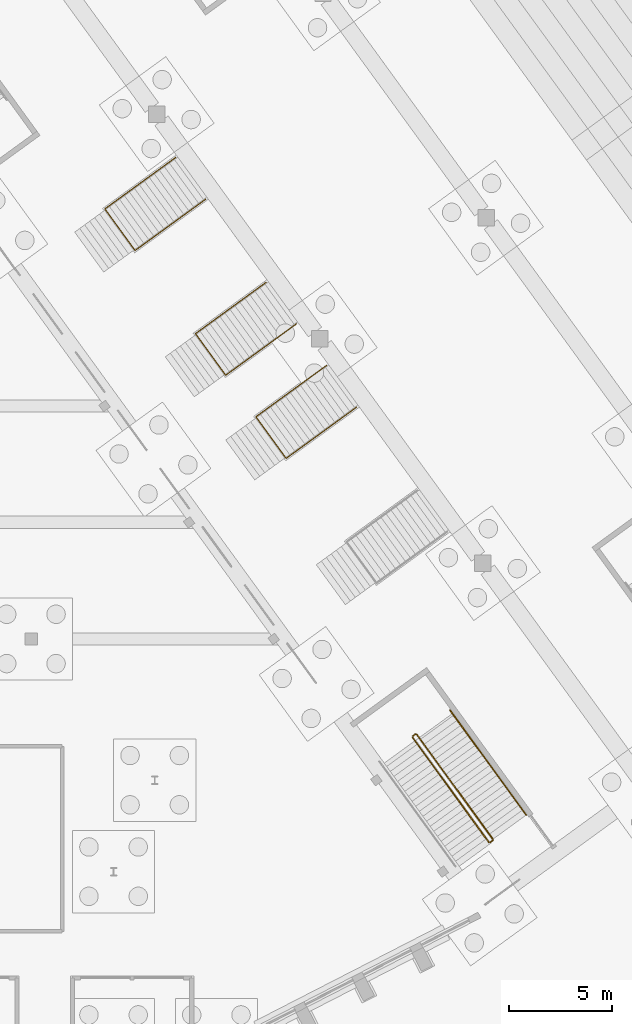
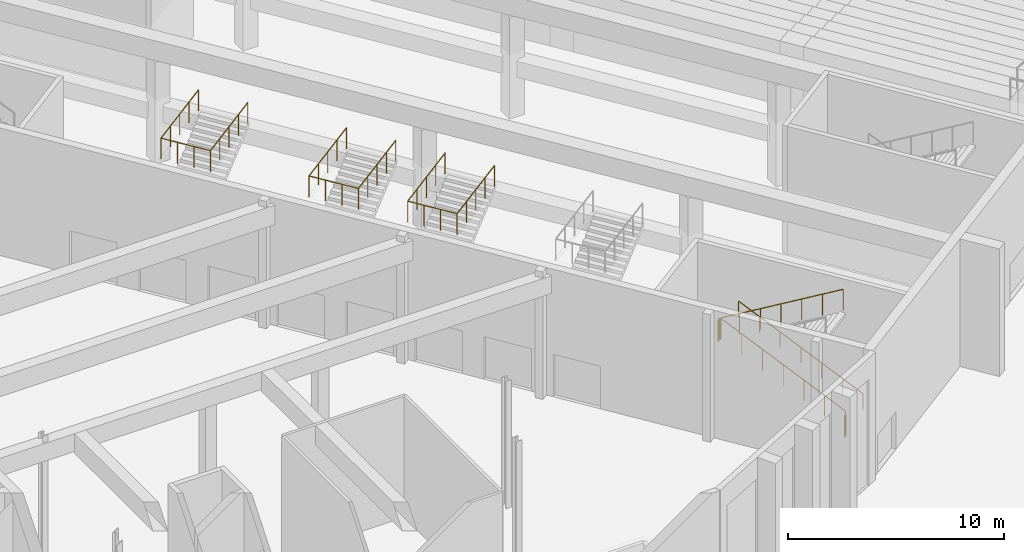
# One storey, part 229 of 239: 8 railings.
"""IFC4 building model written with IfcOpenShell, lengths in metres."""

from ifc_helpers import new_model, si_unit, direction, frame, origin, origin_2d, place, context, subcontext, project, spatial, circle, extrude, material, type_object, element, save


model = new_model("IFC4")

# Units and contexts
model_context = context("Model", 3, precision=1e-05, world=origin(), true_north=direction((0.0, 1.0)))
body_context = subcontext(model_context, "Body", "Model", "MODEL_VIEW")
ifc_project = project(units=[si_unit("LENGTHUNIT", "METRE"), si_unit("AREAUNIT", "SQUARE_METRE"), si_unit("VOLUMEUNIT", "CUBIC_METRE"), si_unit("PLANEANGLEUNIT", "RADIAN"), si_unit("MASSUNIT", "GRAM", prefix="KILO")], contexts=[model_context])

# Site, building, storey
site_placement = place(None, origin())
site = spatial("IfcSite", under=ifc_project, at=site_placement, CompositionType="ELEMENT")
building_placement = place(site_placement, origin())
building = spatial("IfcBuilding", under=site, at=building_placement, Name="Okhra Congress Centre", CompositionType="ELEMENT")
storey_placement = place(building_placement, origin())
storey = spatial("IfcBuildingStorey", under=building, at=storey_placement, Name="L00", CompositionType="ELEMENT", Elevation=0.0)

# Railings
ifc_material_1 = material(Name="Painted steel tube guard with vertical steel balusters", Category="steel")
railing_type_1 = type_object("IfcRailingType", Name="Steel guard 1200", PredefinedType="GUARDRAIL", material=ifc_material_1)
railing_1_placement = place(storey_placement, frame((223.830078125, 180.50244140625, 3.60009765625)))
element("IfcRailing", 1, at=railing_1_placement, inside=storey, type_object=railing_type_1, Name="Guard round stair opening", PredefinedType="GUARDRAIL", context=body_context, shape_type="SweptSolid", body=[
    extrude(circle(Radius=0.02392578125, at=origin_2d()), frame((0.0, 0.0, 1.17578125), z_axis=(-0.809014219529, -0.587789071521, 0.0), x_axis=(0.587789071521, -0.809014219529, 0.0)), (0.0, 0.0, 1.0), 4.25),
    extrude(circle(Radius=0.02392578125, at=origin_2d()), frame((-3.438232421875, -2.498046875, 1.17578125), z_axis=(-0.587805814474, 0.809002054677, 0.0), x_axis=(-0.809002054677, -0.587805814474, 0.0)), (0.0, 0.0, 1.0), 2.5),
    extrude(circle(Radius=0.02392578125, at=origin_2d()), frame((-4.90771484375, -0.4755859375, 1.17578125), z_axis=(0.808986902224, 0.587826668356, 0.0), x_axis=(-0.587826668356, 0.808986902224, 0.0)), (0.0, 0.0, 1.0), 4.25),
    extrude(circle(Radius=0.02099609375, at=origin_2d()), origin(), (0.0, 0.0, 1.0), 1.15185546875),
    extrude(circle(Radius=0.02099609375, at=origin_2d()), frame((-0.859619140625, -0.62451171875, 0.0)), (0.0, 0.0, 1.0), 1.15185546875),
    extrude(circle(Radius=0.02099609375, at=origin_2d()), frame((-1.71923828125, -1.2490234375, 0.0)), (0.0, 0.0, 1.0), 1.15185546875),
    extrude(circle(Radius=0.02099609375, at=origin_2d()), frame((-2.57861328125, -1.87353515625, 0.0)), (0.0, 0.0, 1.0), 1.15185546875),
    extrude(circle(Radius=0.02099609375, at=origin_2d()), frame((-3.438232421875, -2.498046875, 0.0)), (0.0, 0.0, 1.0), 1.15185546875),
    extrude(circle(Radius=0.02099609375, at=origin_2d()), frame((-3.927978515625, -1.823974609375, 0.0)), (0.0, 0.0, 1.0), 1.15185546875),
    extrude(circle(Radius=0.02099609375, at=origin_2d()), frame((-4.41796875, -1.149658203125, 0.0)), (0.0, 0.0, 1.0), 1.15185546875),
    extrude(circle(Radius=0.02099609375, at=origin_2d()), frame((-4.90771484375, -0.4755859375, 0.0)), (0.0, 0.0, 1.0), 1.15185546875),
    extrude(circle(Radius=0.02099609375, at=origin_2d()), frame((-4.048095703125, 0.14892578125, 0.0)), (0.0, 0.0, 1.0), 1.15185546875),
    extrude(circle(Radius=0.02099609375, at=origin_2d()), frame((-3.1884765625, 0.7734375, 0.0)), (0.0, 0.0, 1.0), 1.15185546875),
    extrude(circle(Radius=0.02099609375, at=origin_2d()), frame((-2.3291015625, 1.398193359375, 0.0)), (0.0, 0.0, 1.0), 1.15185546875),
    extrude(circle(Radius=0.02099609375, at=origin_2d()), frame((-1.469482421875, 2.022705078125, 0.0)), (0.0, 0.0, 1.0), 1.15185546875),
])
railing_2_placement = place(storey_placement, frame((220.89111328125, 184.547607421875, 3.60009765625)))
element("IfcRailing", 2, at=railing_2_placement, inside=storey, type_object=railing_type_1, Name="Guard round stair opening", PredefinedType="GUARDRAIL", context=body_context, shape_type="SweptSolid", body=[
    extrude(circle(Radius=0.02392578125, at=origin_2d()), frame((0.0, 0.0, 1.17578125), z_axis=(-0.809014219529, -0.587789071521, 0.0), x_axis=(0.587789071521, -0.809014219529, 0.0)), (0.0, 0.0, 1.0), 4.25),
    extrude(circle(Radius=0.02392578125, at=origin_2d()), frame((-3.438232421875, -2.498046875, 1.17578125), z_axis=(-0.587805814474, 0.809002054677, 0.0), x_axis=(-0.809002054677, -0.587805814474, 0.0)), (0.0, 0.0, 1.0), 2.5),
    extrude(circle(Radius=0.02392578125, at=origin_2d()), frame((-4.90771484375, -0.4755859375, 1.17578125), z_axis=(0.809034065563, 0.587761755101, 0.0), x_axis=(-0.587761755101, 0.809034065563, 0.0)), (0.0, 0.0, 1.0), 4.25),
    extrude(circle(Radius=0.02099609375, at=origin_2d()), origin(), (0.0, 0.0, 1.0), 1.15185546875),
    extrude(circle(Radius=0.02099609375, at=origin_2d()), frame((-0.859619140625, -0.62451171875, 0.0)), (0.0, 0.0, 1.0), 1.15185546875),
    extrude(circle(Radius=0.02099609375, at=origin_2d()), frame((-1.71923828125, -1.2490234375, 0.0)), (0.0, 0.0, 1.0), 1.15185546875),
    extrude(circle(Radius=0.02099609375, at=origin_2d()), frame((-2.57861328125, -1.87353515625, 0.0)), (0.0, 0.0, 1.0), 1.15185546875),
    extrude(circle(Radius=0.02099609375, at=origin_2d()), frame((-3.438232421875, -2.498046875, 0.0)), (0.0, 0.0, 1.0), 1.15185546875),
    extrude(circle(Radius=0.02099609375, at=origin_2d()), frame((-3.927978515625, -1.823974609375, 0.0)), (0.0, 0.0, 1.0), 1.15185546875),
    extrude(circle(Radius=0.02099609375, at=origin_2d()), frame((-4.41796875, -1.149658203125, 0.0)), (0.0, 0.0, 1.0), 1.15185546875),
    extrude(circle(Radius=0.02099609375, at=origin_2d()), frame((-4.90771484375, -0.4755859375, 0.0)), (0.0, 0.0, 1.0), 1.15185546875),
    extrude(circle(Radius=0.02099609375, at=origin_2d()), frame((-4.048095703125, 0.14892578125, 0.0)), (0.0, 0.0, 1.0), 1.15185546875),
    extrude(circle(Radius=0.02099609375, at=origin_2d()), frame((-3.1884765625, 0.7734375, 0.0)), (0.0, 0.0, 1.0), 1.15185546875),
    extrude(circle(Radius=0.02099609375, at=origin_2d()), frame((-2.328857421875, 1.39794921875, 0.0)), (0.0, 0.0, 1.0), 1.15185546875),
    extrude(circle(Radius=0.02099609375, at=origin_2d()), frame((-1.46923828125, 2.0224609375, 0.0)), (0.0, 0.0, 1.0), 1.15185546875),
])
railing_3_placement = place(storey_placement, frame((216.48291015625, 190.615234375, 3.60009765625)))
element("IfcRailing", 3, at=railing_3_placement, inside=storey, type_object=railing_type_1, Name="Guard round stair opening", PredefinedType="GUARDRAIL", context=body_context, shape_type="SweptSolid", body=[
    extrude(circle(Radius=0.02392578125, at=origin_2d()), frame((0.0, 0.0, 1.17578125), z_axis=(-0.809034065563, -0.587761755101, 0.0), x_axis=(0.587761755101, -0.809034065563, 0.0)), (0.0, 0.0, 1.0), 4.25),
    extrude(circle(Radius=0.02392578125, at=origin_2d()), frame((-3.4384765625, -2.498046875, 1.17578125), z_axis=(-0.587805814474, 0.809002054677, 0.0), x_axis=(-0.809002054677, -0.587805814474, 0.0)), (0.0, 0.0, 1.0), 2.5),
    extrude(circle(Radius=0.02392578125, at=origin_2d()), frame((-4.907958984375, -0.4755859375, 1.17578125), z_axis=(0.809034065563, 0.587761755101, 0.0), x_axis=(-0.587761755101, 0.809034065563, 0.0)), (0.0, 0.0, 1.0), 4.25),
    extrude(circle(Radius=0.02099609375, at=origin_2d()), origin(), (0.0, 0.0, 1.0), 1.15185546875),
    extrude(circle(Radius=0.02099609375, at=origin_2d()), frame((-0.859619140625, -0.62451171875, 0.0)), (0.0, 0.0, 1.0), 1.15185546875),
    extrude(circle(Radius=0.02099609375, at=origin_2d()), frame((-1.71923828125, -1.2490234375, 0.0)), (0.0, 0.0, 1.0), 1.15185546875),
    extrude(circle(Radius=0.02099609375, at=origin_2d()), frame((-2.578857421875, -1.87353515625, 0.0)), (0.0, 0.0, 1.0), 1.15185546875),
    extrude(circle(Radius=0.02099609375, at=origin_2d()), frame((-3.4384765625, -2.498046875, 0.0)), (0.0, 0.0, 1.0), 1.15185546875),
    extrude(circle(Radius=0.02099609375, at=origin_2d()), frame((-3.92822265625, -1.823974609375, 0.0)), (0.0, 0.0, 1.0), 1.15185546875),
    extrude(circle(Radius=0.02099609375, at=origin_2d()), frame((-4.418212890625, -1.149658203125, 0.0)), (0.0, 0.0, 1.0), 1.15185546875),
    extrude(circle(Radius=0.02099609375, at=origin_2d()), frame((-4.907958984375, -0.4755859375, 0.0)), (0.0, 0.0, 1.0), 1.15185546875),
    extrude(circle(Radius=0.02099609375, at=origin_2d()), frame((-4.04833984375, 0.14892578125, 0.0)), (0.0, 0.0, 1.0), 1.15185546875),
    extrude(circle(Radius=0.02099609375, at=origin_2d()), frame((-3.188720703125, 0.7734375, 0.0)), (0.0, 0.0, 1.0), 1.15185546875),
    extrude(circle(Radius=0.02099609375, at=origin_2d()), frame((-2.3291015625, 1.39794921875, 0.0)), (0.0, 0.0, 1.0), 1.15185546875),
    extrude(circle(Radius=0.02099609375, at=origin_2d()), frame((-1.469482421875, 2.0224609375, 0.0)), (0.0, 0.0, 1.0), 1.15185546875),
])
ifc_material_2 = material(Name="Painted steel tube handrail on wall brackets", Category="steel")
railing_type_2 = type_object("IfcRailingType", Name="Steel handrail 900", PredefinedType="HANDRAIL", material=ifc_material_2)
railing_4_placement = place(storey_placement, frame((232.06982421875, 160.655029296875, 0.16357421875)))
element("IfcRailing", 4, at=railing_4_placement, inside=storey, type_object=railing_type_2, Name="L00 C1 stair handrail 1", PredefinedType="HANDRAIL", context=body_context, shape_type="SweptSolid", body=[
    extrude(circle(Radius=0.02392578125, at=origin_2d()), frame((0.0, 0.0, 0.8759765625), z_axis=(-0.516010571372, 0.710228949007, 0.478861076123), x_axis=(-0.809017516926, -0.587784533062, 0.0)), (0.0, 0.0, 1.0), 7.176513671875),
    extrude(circle(Radius=0.02099609375, at=origin_2d()), origin(), (0.0, 0.0, 1.0), 0.851806640625),
    extrude(circle(Radius=0.02099609375, at=origin_2d()), frame((-0.6171875, 0.849609375, 0.57275390625)), (0.0, 0.0, 1.0), 0.851806640625),
    extrude(circle(Radius=0.02099609375, at=origin_2d()), frame((-1.234375, 1.698974609375, 1.1455078125)), (0.0, 0.0, 1.0), 0.851806640625),
    extrude(circle(Radius=0.02099609375, at=origin_2d()), frame((-1.8515625, 2.54833984375, 1.71826171875)), (0.0, 0.0, 1.0), 0.851806640625),
    extrude(circle(Radius=0.02099609375, at=origin_2d()), frame((-2.46875, 3.39794921875, 2.291015625)), (0.0, 0.0, 1.0), 0.851806640625),
    extrude(circle(Radius=0.02099609375, at=origin_2d()), frame((-3.0859375, 4.24755859375, 2.86376953125)), (0.0, 0.0, 1.0), 0.851806640625),
    extrude(circle(Radius=0.02099609375, at=origin_2d()), frame((-3.703125, 5.096923828125, 3.4365234375)), (0.0, 0.0, 1.0), 0.851806640625),
])
railing_type_3 = type_object("IfcRailingType", Name="Steel stair guard 1200", PredefinedType="GUARDRAIL", material=ifc_material_1)
railing_5_placement = place(storey_placement, frame((230.45166015625, 159.4794921875, 0.16357421875)))
element("IfcRailing", 5, at=railing_5_placement, inside=storey, type_object=railing_type_3, Name="L00 C1 stair guard 1", PredefinedType="GUARDRAIL", context=body_context, shape_type="SweptSolid", body=[
    extrude(circle(Radius=0.02392578125, at=origin_2d()), frame((0.0, 0.0, 1.17578125), z_axis=(-0.515985609347, 0.71024141665, 0.478869482242), x_axis=(-0.809035944427, -0.5877591689, 0.0)), (0.0, 0.0, 1.0), 7.17626953125),
    extrude(circle(Radius=0.02099609375, at=origin_2d()), origin(), (0.0, 0.0, 1.0), 1.15185546875),
    extrude(circle(Radius=0.02099609375, at=origin_2d()), frame((-0.6171875, 0.849609375, 0.57275390625)), (0.0, 0.0, 1.0), 1.15185546875),
    extrude(circle(Radius=0.02099609375, at=origin_2d()), frame((-1.234375, 1.698974609375, 1.1455078125)), (0.0, 0.0, 1.0), 1.15185546875),
    extrude(circle(Radius=0.02099609375, at=origin_2d()), frame((-1.8515625, 2.54833984375, 1.71826171875)), (0.0, 0.0, 1.0), 1.15185546875),
    extrude(circle(Radius=0.02099609375, at=origin_2d()), frame((-2.468505859375, 3.39794921875, 2.291015625)), (0.0, 0.0, 1.0), 1.15185546875),
    extrude(circle(Radius=0.02099609375, at=origin_2d()), frame((-3.085693359375, 4.24755859375, 2.86376953125)), (0.0, 0.0, 1.0), 1.15185546875),
    extrude(circle(Radius=0.02099609375, at=origin_2d()), frame((-3.702880859375, 5.096923828125, 3.4365234375)), (0.0, 0.0, 1.0), 1.15185546875),
])
railing_6_placement = place(storey_placement, frame((226.678955078125, 164.58740234375, 3.60009765625)))
element("IfcRailing", 6, at=railing_6_placement, inside=storey, type_object=railing_type_3, Name="L00 C1 stair guard 2", PredefinedType="GUARDRAIL", context=body_context, shape_type="SweptSolid", body=[
    extrude(circle(Radius=0.02392578125, at=origin_2d()), frame((0.0, 0.0, 1.17578125), z_axis=(-0.809087927272, -0.587687609145, 0.0), x_axis=(0.587687609145, -0.809087927272, 0.0)), (0.0, 0.0, 1.0), 0.14990234375),
    extrude(circle(Radius=0.02099609375, at=origin_2d()), origin(), (0.0, 0.0, 1.0), 1.15185546875),
    extrude(circle(Radius=0.02099609375, at=origin_2d()), frame((-0.121337890625, -0.088134765625, 0.0)), (0.0, 0.0, 1.0), 1.15185546875),
])
railing_7_placement = place(storey_placement, frame((226.54638671875, 164.429443359375, 3.763671875)))
element("IfcRailing", 7, at=railing_7_placement, inside=storey, type_object=railing_type_3, Name="L00 C1 stair guard 3", PredefinedType="GUARDRAIL", context=body_context, shape_type="SweptSolid", body=[
    extrude(circle(Radius=0.02392578125, at=origin_2d()), frame((0.0, 0.0, 1.17578125), z_axis=(0.516018977453, -0.710240519007, 0.478834856781), x_axis=(0.809017516926, 0.587784533062, 0.0)), (0.0, 0.0, 1.0), 7.17626953125),
    extrude(circle(Radius=0.02099609375, at=origin_2d()), origin(), (0.0, 0.0, 1.0), 1.15185546875),
    extrude(circle(Radius=0.02099609375, at=origin_2d()), frame((0.6171875, -0.849609375, 0.57275390625)), (0.0, 0.0, 1.0), 1.15185546875),
    extrude(circle(Radius=0.02099609375, at=origin_2d()), frame((1.234375, -1.698974609375, 1.1455078125)), (0.0, 0.0, 1.0), 1.15185546875),
    extrude(circle(Radius=0.02099609375, at=origin_2d()), frame((1.8515625, -2.54833984375, 1.71826171875)), (0.0, 0.0, 1.0), 1.15185546875),
    extrude(circle(Radius=0.02099609375, at=origin_2d()), frame((2.46875, -3.39794921875, 2.290771484375)), (0.0, 0.0, 1.0), 1.15185546875),
    extrude(circle(Radius=0.02099609375, at=origin_2d()), frame((3.0859375, -4.24755859375, 2.863525390625)), (0.0, 0.0, 1.0), 1.15185546875),
    extrude(circle(Radius=0.02099609375, at=origin_2d()), frame((3.703125, -5.096923828125, 3.436279296875)), (0.0, 0.0, 1.0), 1.15185546875),
])
railing_8_placement = place(storey_placement, frame((230.440673828125, 159.40966796875, 0.0)))
element("IfcRailing", 8, at=railing_8_placement, inside=storey, type_object=railing_type_3, Name="L00 C1 stair guard 4", PredefinedType="GUARDRAIL", context=body_context, shape_type="SweptSolid", body=[
    extrude(circle(Radius=0.02392578125, at=origin_2d()), frame((0.0, 0.0, 1.17578125), z_axis=(-0.809087927272, -0.587687609145, 0.0), x_axis=(0.587687609145, -0.809087927272, 0.0)), (0.0, 0.0, 1.0), 0.14990234375),
    extrude(circle(Radius=0.02099609375, at=origin_2d()), origin(), (0.0, 0.0, 1.0), 1.15185546875),
    extrude(circle(Radius=0.02099609375, at=origin_2d()), frame((-0.121337890625, -0.088134765625, 0.0)), (0.0, 0.0, 1.0), 1.15185546875),
])

save(model, "model.ifc")
